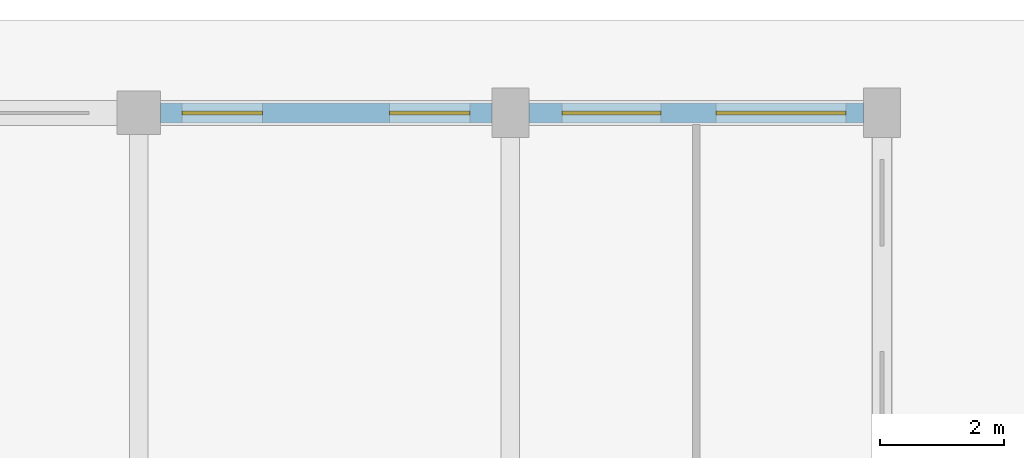
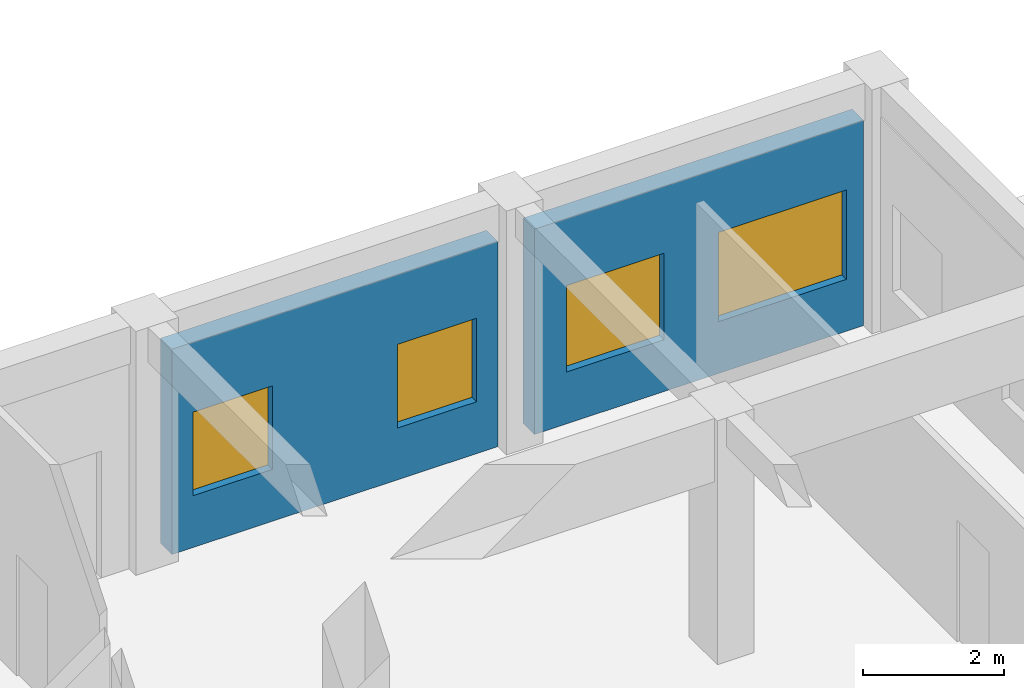
# One storey, part 58 of 76: 4 windows, 2 walls, 4 openings.
"""IFC4 building model written with IfcOpenShell, lengths in metres."""

from ifc_helpers import new_model, si_unit, direction, frame, frame_2d, origin, place, context, subcontext, project, spatial, rectangle, extrude, material, layer, layer_set, type_object, element, fill, save


model = new_model("IFC4")

# Units and contexts
model_context = context("Model", 3, precision=1e-05, world=origin(), true_north=direction((0.0, 1.0)))
body_context = subcontext(model_context, "Body", "Model", "MODEL_VIEW")
ifc_project = project(units=[si_unit("LENGTHUNIT", "METRE"), si_unit("AREAUNIT", "SQUARE_METRE"), si_unit("VOLUMEUNIT", "CUBIC_METRE"), si_unit("PLANEANGLEUNIT", "RADIAN"), si_unit("MASSUNIT", "GRAM", prefix="KILO"), si_unit("POWERUNIT", "WATT"), si_unit("THERMODYNAMICTEMPERATUREUNIT", "KELVIN")], contexts=[model_context])

# Site, building, storey
site_placement = place(None, origin())
site = spatial("IfcSite", under=ifc_project, at=site_placement, CompositionType="ELEMENT")
building_placement = place(site_placement, origin())
building = spatial("IfcBuilding", under=site, at=building_placement, Name="Ruvembo Vaulted Housing Court", CompositionType="ELEMENT")
storey_placement = place(building_placement, origin())
storey = spatial("IfcBuildingStorey", under=building, at=storey_placement, Name="L00", CompositionType="ELEMENT", Elevation=0.0)

# Wall, openings, windows
ifc_material_1 = material(Name="Rendered Masonry 320", Category="masonry")
ifc_layer = layer(ifc_material_1, 0.320068359375, Name="Rendered Masonry 320")
ifc_layer_set = layer_set([ifc_layer], Name="Rendered Masonry 320")
wall_type = type_object("IfcWallType", Name="WL-EXT-320", PredefinedType="STANDARD", material=ifc_layer_set)
wall_1_placement = place(storey_placement, frame((83.699951171875, 114.0, 0.0), z_axis=(0.0, 0.0, 1.0), x_axis=(-1.0, 0.0, 0.0)))
wall_1 = element("IfcWall", 1, at=wall_1_placement, inside=storey, type_object=wall_type, Name="Block B L00 Exterior Wall STREET #1", PredefinedType="STANDARD", context=body_context, shape_type="SweptSolid", body=[
    extrude(rectangle(XDim=5.39990234375, YDim=0.320068359375, at=frame_2d((2.699951171875, 0.0))), origin(), (0.0, 0.0, 1.0), 3.56201171875),
])
opening_1_placement = place(wall_1_placement, frame((0.280029296875, 0.0, 0.89990234375)))
opening_1 = element("IfcOpeningElement", 2, at=opening_1_placement, cuts=wall_1, Name="Opening W25", PredefinedType="OPENING", context=body_context, shape_type="SweptSolid", body=[
    extrude(rectangle(XDim=2.10009765625, YDim=1.550048828125, at=frame_2d((1.050048828125, 0.77490234375))), frame((0.0, 0.169921875, 0.0), z_axis=(0.0, -1.0, 0.0), x_axis=(1.0, 0.0, 0.0)), (0.0, 0.0, 1.0), 0.340087890625),
])
opening_2_placement = place(wall_1_placement, frame((3.27001953125, 0.0, 0.89990234375)))
opening_2 = element("IfcOpeningElement", 3, at=opening_2_placement, cuts=wall_1, Name="Opening W20", PredefinedType="OPENING", context=body_context, shape_type="SweptSolid", body=[
    extrude(rectangle(XDim=1.60009765625, YDim=1.5, at=frame_2d((0.800048828125, 0.75))), frame((0.0, 0.169921875, 0.0), z_axis=(0.0, -1.0, 0.0), x_axis=(1.0, 0.0, 0.0)), (0.0, 0.0, 1.0), 0.340087890625),
])
ifc_material_2 = material(Name="Double Solar-Control Glazing in Aluminium Frame", Category="aluminium")
window_type_1 = type_object("IfcWindowType", Name="WIN-1600x1500", PartitioningType="SINGLE_PANEL", PredefinedType="WINDOW", material=ifc_material_2)
window_1_placement = place(opening_2_placement, origin())
window_1 = element("IfcWindow", 4, at=window_1_placement, inside=storey, type_object=window_type_1, Name="Block B L00 Window #624", OverallHeight=1.5, OverallWidth=1.60009765625, PartitioningType="SINGLE_PANEL", PredefinedType="WINDOW", context=body_context, shape_type="SweptSolid", body=[
    extrude(rectangle(XDim=1.60009765625, YDim=1.5, at=frame_2d((0.800048828125, 0.75))), frame((0.0, 0.030029296875, 0.0), z_axis=(0.0, -1.0, 0.0), x_axis=(1.0, 0.0, 0.0)), (0.0, 0.0, 1.0), 0.06005859375),
])
fill(opening_2, window_1)
window_type_2 = type_object("IfcWindowType", Name="WIN-2100x1550", PartitioningType="SINGLE_PANEL", PredefinedType="WINDOW", material=ifc_material_2)
window_2_placement = place(opening_1_placement, origin())
window_2 = element("IfcWindow", 5, at=window_2_placement, inside=storey, type_object=window_type_2, Name="Block B L00 Window #623", OverallHeight=1.550048828125, OverallWidth=2.10009765625, PartitioningType="SINGLE_PANEL", PredefinedType="WINDOW", context=body_context, shape_type="SweptSolid", body=[
    extrude(rectangle(XDim=2.10009765625, YDim=1.550048828125, at=frame_2d((1.050048828125, 0.77490234375))), frame((0.0, 0.030029296875, 0.0), z_axis=(0.0, -1.0, 0.0), x_axis=(1.0, 0.0, 0.0)), (0.0, 0.0, 1.0), 0.06005859375),
])
fill(opening_1, window_2)

wall_2_placement = place(storey_placement, frame((77.699951171875, 114.0, 0.0), z_axis=(0.0, 0.0, 1.0), x_axis=(-1.0, 0.0, 0.0)))
wall_2 = element("IfcWall", 6, at=wall_2_placement, inside=storey, type_object=wall_type, Name="Block B L00 Exterior Wall STREET #2", PredefinedType="STANDARD", context=body_context, shape_type="SweptSolid", body=[
    extrude(rectangle(XDim=5.349853515625, YDim=0.320068359375, at=frame_2d((2.6748046875, 0.0))), origin(), (0.0, 0.0, 1.0), 3.56201171875),
])
opening_3_placement = place(wall_2_placement, frame((0.35009765625, 0.0, 0.89990234375)))
opening_3 = element("IfcOpeningElement", 7, at=opening_3_placement, cuts=wall_2, Name="Opening W15", PredefinedType="OPENING", context=body_context, shape_type="SweptSolid", body=[
    extrude(rectangle(XDim=1.300048828125, YDim=1.449951171875, at=frame_2d((0.64990234375, 0.72509765625))), frame((0.0, 0.169921875, 0.0), z_axis=(0.0, -1.0, 0.0), x_axis=(1.0, 0.0, 0.0)), (0.0, 0.0, 1.0), 0.340087890625),
])
opening_4_placement = place(wall_2_placement, frame((3.699951171875, 0.0, 0.89990234375)))
opening_4 = element("IfcOpeningElement", 8, at=opening_4_placement, cuts=wall_2, Name="Opening W15", PredefinedType="OPENING", context=body_context, shape_type="SweptSolid", body=[
    extrude(rectangle(XDim=1.300048828125, YDim=1.449951171875, at=frame_2d((0.64990234375, 0.72509765625))), frame((0.0, 0.169921875, 0.0), z_axis=(0.0, -1.0, 0.0), x_axis=(1.0, 0.0, 0.0)), (0.0, 0.0, 1.0), 0.340087890625),
])
window_type_3 = type_object("IfcWindowType", Name="WIN-1300x1450", PartitioningType="SINGLE_PANEL", PredefinedType="WINDOW", material=ifc_material_2)
window_3_placement = place(opening_3_placement, origin())
window_3 = element("IfcWindow", 9, at=window_3_placement, inside=storey, type_object=window_type_3, Name="Block B L00 Window #625", OverallHeight=1.449951171875, OverallWidth=1.300048828125, PartitioningType="SINGLE_PANEL", PredefinedType="WINDOW", context=body_context, shape_type="SweptSolid", body=[
    extrude(rectangle(XDim=1.300048828125, YDim=1.449951171875, at=frame_2d((0.64990234375, 0.72509765625))), frame((0.0, 0.030029296875, 0.0), z_axis=(0.0, -1.0, 0.0), x_axis=(1.0, 0.0, 0.0)), (0.0, 0.0, 1.0), 0.06005859375),
])
fill(opening_3, window_3)
window_4_placement = place(opening_4_placement, origin())
window_4 = element("IfcWindow", 10, at=window_4_placement, inside=storey, type_object=window_type_3, Name="Block B L00 Window #626", OverallHeight=1.449951171875, OverallWidth=1.300048828125, PartitioningType="SINGLE_PANEL", PredefinedType="WINDOW", context=body_context, shape_type="SweptSolid", body=[
    extrude(rectangle(XDim=1.300048828125, YDim=1.449951171875, at=frame_2d((0.64990234375, 0.72509765625))), frame((0.0, 0.030029296875, 0.0), z_axis=(0.0, -1.0, 0.0), x_axis=(1.0, 0.0, 0.0)), (0.0, 0.0, 1.0), 0.06005859375),
])
fill(opening_4, window_4)

save(model, "model.ifc")
